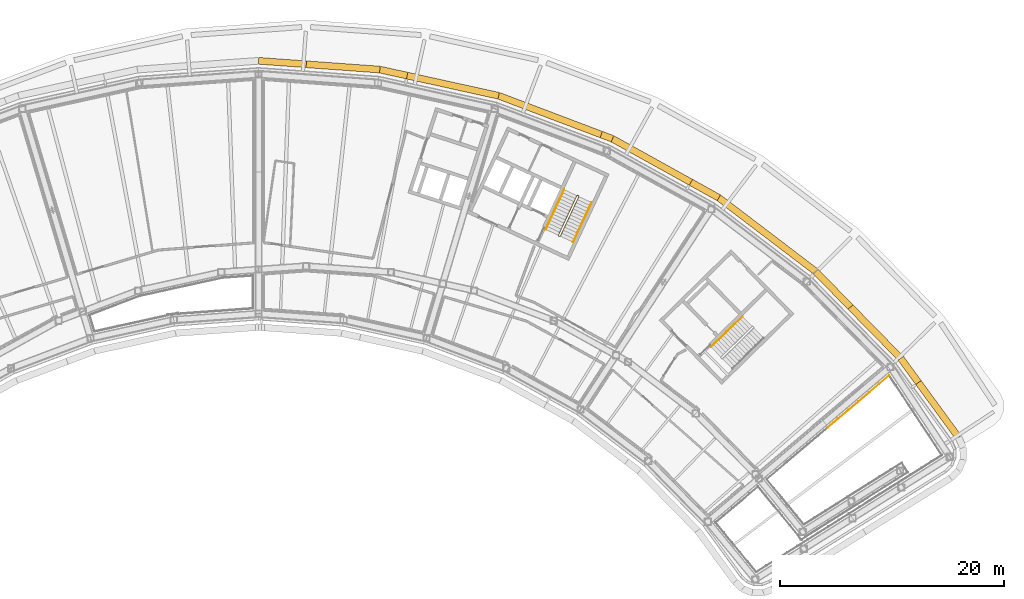
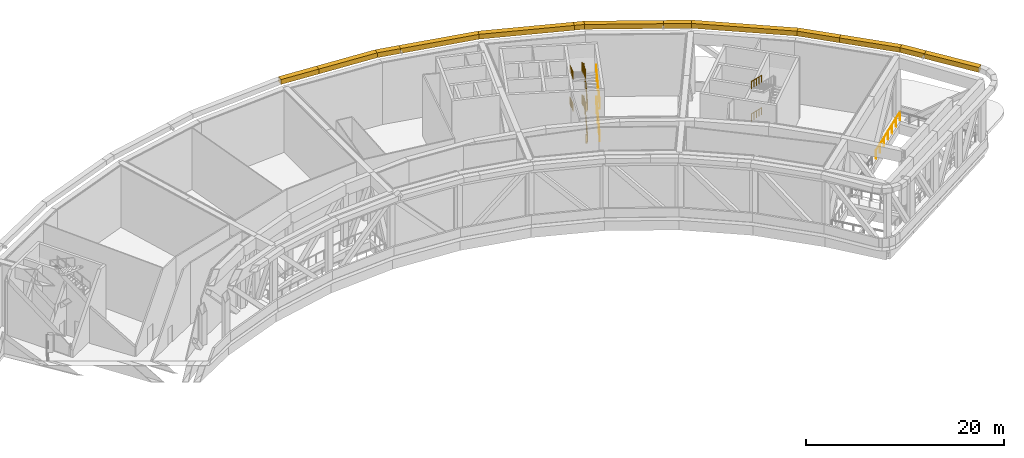
# One storey, part 23 of 24: 13 coverings, 8 railings.
"""IFC4 building model written with IfcOpenShell, lengths in metres."""

from ifc_helpers import new_model, si_unit, direction, frame, origin, origin_2d, place, context, subcontext, project, spatial, rectangle, circle, extrude, material, material_profile, profile_set, type_object, element, save


model = new_model("IFC4")

# Units and contexts
model_context = context("Model", 3, precision=1e-05, world=origin(), true_north=direction((0.0, 1.0)))
body_context = subcontext(model_context, "Body", "Model", "MODEL_VIEW")
ifc_project = project(units=[si_unit("LENGTHUNIT", "METRE"), si_unit("AREAUNIT", "SQUARE_METRE"), si_unit("VOLUMEUNIT", "CUBIC_METRE"), si_unit("PLANEANGLEUNIT", "RADIAN"), si_unit("MASSUNIT", "GRAM", prefix="KILO")], contexts=[model_context])

# Site, building, storey
site_placement = place(None, origin())
site = spatial("IfcSite", under=ifc_project, at=site_placement, CompositionType="ELEMENT")
building_placement = place(site_placement, origin())
building = spatial("IfcBuilding", under=site, at=building_placement, Name="Tuul Gate Civic Tower", CompositionType="ELEMENT")
storey_placement = place(building_placement, frame((0.0, 0.0, 277.800048828125)))
storey = spatial("IfcBuildingStorey", under=building, at=storey_placement, Name="Wind floor 2", CompositionType="ELEMENT", Elevation=277.800048828125)

# Railings
ifc_material_1 = material(Name="Painted steel", Category="steel")
railing_type_1 = type_object("IfcRailingType", Name="Slot guard", PredefinedType="GUARDRAIL", material=ifc_material_1)
railing_1_placement = place(storey_placement, frame((63.0537109375, -17.629638671875, 0.0)))
element("IfcRailing", 1, at=railing_1_placement, inside=storey, type_object=railing_type_1, Name="Guard", PredefinedType="GUARDRAIL", context=body_context, shape_type="SweptSolid", body=[
    extrude(circle(Radius=0.02392578125, at=origin_2d()), frame((0.0, 0.0, 1.076171875), z_axis=(-0.762834062015, -0.646594303895, 0.0), x_axis=(0.646594303895, -0.762834062015, 0.0)), (0.0, 0.0, 1.0), 7.164306640625),
    extrude(circle(Radius=0.02099609375, at=origin_2d()), origin(), (0.0, 0.0, 1.0), 1.052001953125),
    extrude(circle(Radius=0.02099609375, at=origin_2d()), frame((-0.910888671875, -0.77197265625, 0.0)), (0.0, 0.0, 1.0), 1.052001953125),
    extrude(circle(Radius=0.02099609375, at=origin_2d()), frame((-1.82177734375, -1.544189453125, 0.0)), (0.0, 0.0, 1.0), 1.052001953125),
    extrude(circle(Radius=0.02099609375, at=origin_2d()), frame((-2.732421875, -2.316162109375, 0.0)), (0.0, 0.0, 1.0), 1.052001953125),
    extrude(circle(Radius=0.02099609375, at=origin_2d()), frame((-3.643310546875, -3.088134765625, 0.0)), (0.0, 0.0, 1.0), 1.052001953125),
    extrude(circle(Radius=0.02099609375, at=origin_2d()), frame((-4.55419921875, -3.8603515625, 0.0)), (0.0, 0.0, 1.0), 1.052001953125),
    extrude(circle(Radius=0.02099609375, at=origin_2d()), frame((-5.465087890625, -4.63232421875, 0.0)), (0.0, 0.0, 1.0), 1.052001953125),
])
ifc_material_2 = material(Name="Painted steel", Category="steel")
railing_type_2 = type_object("IfcRailingType", Name="Stair guard", PredefinedType="GUARDRAIL", material=ifc_material_2)
railing_2_placement = place(storey_placement, frame((33.645751953125, -5.238525390625, 0.0)))
element("IfcRailing", 2, at=railing_2_placement, inside=storey, type_object=railing_type_2, Name="Wind floor 2 ST-4 stair guard 1", PredefinedType="GUARDRAIL", context=body_context, shape_type="SweptSolid", body=[
    extrude(circle(Radius=0.02392578125, at=origin_2d()), frame((0.0, 0.0, 1.076171875), z_axis=(-0.906307919131, 0.422617978463, 0.0), x_axis=(-0.422617978463, -0.906307919131, 0.0)), (0.0, 0.0, 1.0), 0.099853515625),
    extrude(circle(Radius=0.02392578125, at=origin_2d()), frame((-0.090576171875, 0.042236328125, 1.076171875), z_axis=(0.737014185755, -0.084819673011, 0.670533901504), x_axis=(0.114330889033, 0.993442724979, 0.0)), (0.0, 0.0, 1.0), 0.212890625),
    extrude(circle(Radius=0.02392578125, at=origin_2d()), frame((0.06640625, 0.024169921875, 1.21875), z_axis=(0.381507307837, 0.818290785608, 0.429944606031), x_axis=(-0.906336612539, 0.422556439746, 0.0)), (0.0, 0.0, 1.0), 4.319580078125),
    extrude(circle(Radius=0.02392578125, at=origin_2d()), frame((1.71435546875, 3.558837890625, 3.076171875), z_axis=(-0.342020437038, 0.939692513883, 0.0), x_axis=(-0.939692513883, -0.342020437038, 0.0)), (0.0, 0.0, 1.0), 0.070556640625),
    extrude(circle(Radius=0.02392578125, at=origin_2d()), frame((1.690185546875, 3.625244140625, 3.076171875), z_axis=(-0.906307919131, 0.422617978463, 0.0), x_axis=(-0.422617978463, -0.906307919131, 0.0)), (0.0, 0.0, 1.0), 0.099853515625),
    extrude(circle(Radius=0.02392578125, at=origin_2d()), frame((1.599609375, 3.66748046875, 3.076171875), z_axis=(-0.416734069648, -0.151678944468, 0.896284671854), x_axis=(0.342020437038, -0.939692513883, 0.0)), (0.0, 0.0, 1.0), 0.159423828125),
    extrude(circle(Radius=0.02392578125, at=origin_2d()), frame((1.533203125, 3.643310546875, 3.21875), z_axis=(-0.381507307837, -0.818290785608, 0.429944606031), x_axis=(0.906336612539, -0.422556439746, 0.0)), (0.0, 0.0, 1.0), 4.319580078125),
    extrude(circle(Radius=0.02392578125, at=origin_2d()), frame((-0.11474609375, 0.108642578125, 5.076171875), z_axis=(0.726155646563, -0.687530346214, 0.0), x_axis=(0.687530346214, 0.726155646563, 0.0)), (0.0, 0.0, 1.0), 0.157958984375),
    extrude(circle(Radius=0.02392578125, at=origin_2d()), frame((0.0, 0.0, 5.076171875), z_axis=(-0.906307919131, 0.422617978463, 0.0), x_axis=(-0.422617978463, -0.906307919131, 0.0)), (0.0, 0.0, 1.0), 0.099853515625),
    extrude(circle(Radius=0.02392578125, at=origin_2d()), frame((-0.090576171875, 0.042236328125, 5.076171875), z_axis=(0.737014185755, -0.084819673011, 0.670533901504), x_axis=(0.114330889033, 0.993442724979, 0.0)), (0.0, 0.0, 1.0), 0.212890625),
    extrude(circle(Radius=0.02392578125, at=origin_2d()), frame((0.06640625, 0.024169921875, 5.21875), z_axis=(0.381507307837, 0.818290785608, 0.429944606031), x_axis=(-0.906336612539, 0.422556439746, 0.0)), (0.0, 0.0, 1.0), 4.319580078125),
    extrude(circle(Radius=0.02392578125, at=origin_2d()), frame((1.71435546875, 3.558837890625, 7.076171875), z_axis=(-0.342020437038, 0.939692513883, 0.0), x_axis=(-0.939692513883, -0.342020437038, 0.0)), (0.0, 0.0, 1.0), 0.070556640625),
    extrude(circle(Radius=0.02392578125, at=origin_2d()), frame((1.690185546875, 3.625244140625, 7.076171875), z_axis=(-0.906307919131, 0.422617978463, 0.0), x_axis=(-0.422617978463, -0.906307919131, 0.0)), (0.0, 0.0, 1.0), 0.099853515625),
    extrude(circle(Radius=0.02392578125, at=origin_2d()), frame((1.599609375, 3.66748046875, 7.076171875), z_axis=(-0.416734069648, -0.151678944468, 0.896284671854), x_axis=(0.342020437038, -0.939692513883, 0.0)), (0.0, 0.0, 1.0), 0.159423828125),
    extrude(circle(Radius=0.02392578125, at=origin_2d()), frame((1.533203125, 3.643310546875, 7.21875), z_axis=(-0.381507307837, -0.818290785608, 0.429944606031), x_axis=(0.906336612539, -0.422556439746, 0.0)), (0.0, 0.0, 1.0), 4.319580078125),
    extrude(circle(Radius=0.02099609375, at=origin_2d()), origin(), (0.0, 0.0, 1.0), 1.052001953125),
    extrude(circle(Radius=0.02099609375, at=origin_2d()), frame((-0.090576171875, 0.042236328125, 0.0)), (0.0, 0.0, 1.0), 1.052001953125),
    extrude(circle(Radius=0.02099609375, at=origin_2d()), frame((0.06640625, 0.024169921875, 0.142822265625)), (0.0, 0.0, 1.0), 1.052001953125),
    extrude(circle(Radius=0.02099609375, at=origin_2d()), frame((0.478515625, 0.90771484375, 0.607177734375)), (0.0, 0.0, 1.0), 1.052001953125),
    extrude(circle(Radius=0.02099609375, at=origin_2d()), frame((0.890380859375, 1.79150390625, 1.0712890625)), (0.0, 0.0, 1.0), 1.052001953125),
    extrude(circle(Radius=0.02099609375, at=origin_2d()), frame((1.30224609375, 2.67529296875, 1.53564453125)), (0.0, 0.0, 1.0), 1.052001953125),
    extrude(circle(Radius=0.02099609375, at=origin_2d()), frame((1.71435546875, 3.558837890625, 2.0)), (0.0, 0.0, 1.0), 1.052001953125),
    extrude(circle(Radius=0.02099609375, at=origin_2d()), frame((1.690185546875, 3.625244140625, 2.0)), (0.0, 0.0, 1.0), 1.052001953125),
    extrude(circle(Radius=0.02099609375, at=origin_2d()), frame((1.599609375, 3.66748046875, 2.0)), (0.0, 0.0, 1.0), 1.052001953125),
    extrude(circle(Radius=0.02099609375, at=origin_2d()), frame((1.533203125, 3.643310546875, 2.142822265625)), (0.0, 0.0, 1.0), 1.052001953125),
    extrude(circle(Radius=0.02099609375, at=origin_2d()), frame((1.12109375, 2.759765625, 2.607177734375)), (0.0, 0.0, 1.0), 1.052001953125),
    extrude(circle(Radius=0.02099609375, at=origin_2d()), frame((0.709228515625, 1.8759765625, 3.0712890625)), (0.0, 0.0, 1.0), 1.052001953125),
    extrude(circle(Radius=0.02099609375, at=origin_2d()), frame((0.29736328125, 0.9921875, 3.53564453125)), (0.0, 0.0, 1.0), 1.052001953125),
    extrude(circle(Radius=0.02099609375, at=origin_2d()), frame((-0.11474609375, 0.108642578125, 4.0)), (0.0, 0.0, 1.0), 1.052001953125),
    extrude(circle(Radius=0.02099609375, at=origin_2d()), frame((0.0, 0.0, 4.0)), (0.0, 0.0, 1.0), 1.052001953125),
    extrude(circle(Radius=0.02099609375, at=origin_2d()), frame((-0.090576171875, 0.042236328125, 4.0)), (0.0, 0.0, 1.0), 1.052001953125),
    extrude(circle(Radius=0.02099609375, at=origin_2d()), frame((0.06640625, 0.024169921875, 4.142822265625)), (0.0, 0.0, 1.0), 1.052001953125),
    extrude(circle(Radius=0.02099609375, at=origin_2d()), frame((0.478515625, 0.90771484375, 4.607177734375)), (0.0, 0.0, 1.0), 1.052001953125),
    extrude(circle(Radius=0.02099609375, at=origin_2d()), frame((0.890380859375, 1.79150390625, 5.0712890625)), (0.0, 0.0, 1.0), 1.052001953125),
    extrude(circle(Radius=0.02099609375, at=origin_2d()), frame((1.30224609375, 2.67529296875, 5.53564453125)), (0.0, 0.0, 1.0), 1.052001953125),
    extrude(circle(Radius=0.02099609375, at=origin_2d()), frame((1.71435546875, 3.558837890625, 6.0)), (0.0, 0.0, 1.0), 1.052001953125),
    extrude(circle(Radius=0.02099609375, at=origin_2d()), frame((1.690185546875, 3.625244140625, 6.0)), (0.0, 0.0, 1.0), 1.052001953125),
    extrude(circle(Radius=0.02099609375, at=origin_2d()), frame((1.599609375, 3.66748046875, 6.0)), (0.0, 0.0, 1.0), 1.052001953125),
    extrude(circle(Radius=0.02099609375, at=origin_2d()), frame((1.533203125, 3.643310546875, 6.142822265625)), (0.0, 0.0, 1.0), 1.052001953125),
    extrude(circle(Radius=0.02099609375, at=origin_2d()), frame((1.12109375, 2.759765625, 6.607177734375)), (0.0, 0.0, 1.0), 1.052001953125),
    extrude(circle(Radius=0.02099609375, at=origin_2d()), frame((0.709228515625, 1.8759765625, 7.0712890625)), (0.0, 0.0, 1.0), 1.052001953125),
    extrude(circle(Radius=0.02099609375, at=origin_2d()), frame((0.29736328125, 0.9921875, 7.53564453125)), (0.0, 0.0, 1.0), 1.052001953125),
    extrude(circle(Radius=0.02099609375, at=origin_2d()), frame((-0.11474609375, 0.108642578125, 8.0)), (0.0, 0.0, 1.0), 1.052001953125),
])
ifc_material_3 = material(Name="Painted steel", Category="steel")
railing_type_3 = type_object("IfcRailingType", Name="Stair handrail", PredefinedType="HANDRAIL", material=ifc_material_3)
for number, where, name in (
    (3, (49.9462890625, -12.369873046875, 2.142822265625), "Wind floor 2 ST-3 stair handrail 2"),
    (4, (49.9462890625, -12.369873046875, 6.142822265625), "Wind floor 2 ST-3 stair handrail 4"),
):
    element("IfcRailing", number, at=place(storey_placement, frame(where)), inside=storey, type_object=railing_type_3, Name=name, PredefinedType="HANDRAIL", context=body_context, shape_type="SweptSolid", body=[
        extrude(circle(Radius=0.02392578125, at=origin_2d()), frame((0.0, 0.0, 0.8759765625), z_axis=(-0.644770868637, -0.631997532705, 0.4299414444), x_axis=(0.699997553204, -0.714145241186, 0.0)), (0.0, 0.0, 1.0), 4.319580078125),
        extrude(circle(Radius=0.02099609375, at=origin_2d()), origin(), (0.0, 0.0, 1.0), 0.851806640625),
        extrude(circle(Radius=0.02099609375, at=origin_2d()), frame((-0.6962890625, -0.6826171875, 0.46435546875)), (0.0, 0.0, 1.0), 0.851806640625),
        extrude(circle(Radius=0.02099609375, at=origin_2d()), frame((-1.392578125, -1.364990234375, 0.9287109375)), (0.0, 0.0, 1.0), 0.851806640625),
        extrude(circle(Radius=0.02099609375, at=origin_2d()), frame((-2.0888671875, -2.04736328125, 1.392822265625)), (0.0, 0.0, 1.0), 0.851806640625),
        extrude(circle(Radius=0.02099609375, at=origin_2d()), frame((-2.78515625, -2.72998046875, 1.857177734375)), (0.0, 0.0, 1.0), 0.851806640625),
    ])
railing_3_placement = place(storey_placement, frame((34.844970703125, -5.74267578125, 0.142822265625)))
element("IfcRailing", 5, at=railing_3_placement, inside=storey, type_object=railing_type_3, Name="Wind floor 2 ST-4 stair handrail 1", PredefinedType="HANDRAIL", context=body_context, shape_type="SweptSolid", body=[
    extrude(circle(Radius=0.02392578125, at=origin_2d()), frame((0.0, 0.0, 0.8759765625), z_axis=(0.381555599571, 0.818273140362, 0.429935334904), x_axis=(-0.906312636903, 0.422607861012, 0.0)), (0.0, 0.0, 1.0), 4.319580078125),
    extrude(circle(Radius=0.02099609375, at=origin_2d()), origin(), (0.0, 0.0, 1.0), 0.851806640625),
    extrude(circle(Radius=0.02099609375, at=origin_2d()), frame((0.412109375, 0.8837890625, 0.46435546875)), (0.0, 0.0, 1.0), 0.851806640625),
    extrude(circle(Radius=0.02099609375, at=origin_2d()), frame((0.82421875, 1.767333984375, 0.9287109375)), (0.0, 0.0, 1.0), 0.851806640625),
    extrude(circle(Radius=0.02099609375, at=origin_2d()), frame((1.236083984375, 2.65087890625, 1.392822265625)), (0.0, 0.0, 1.0), 0.851806640625),
    extrude(circle(Radius=0.02099609375, at=origin_2d()), frame((1.648193359375, 3.53466796875, 1.857177734375)), (0.0, 0.0, 1.0), 0.851806640625),
])
railing_4_placement = place(storey_placement, frame((34.046142578125, -1.06689453125, 2.142822265625)))
element("IfcRailing", 6, at=railing_4_placement, inside=storey, type_object=railing_type_3, Name="Wind floor 2 ST-4 stair handrail 2", PredefinedType="HANDRAIL", context=body_context, shape_type="SweptSolid", body=[
    extrude(circle(Radius=0.02392578125, at=origin_2d()), frame((0.0, 0.0, 0.8759765625), z_axis=(-0.381555599571, -0.818273140362, 0.429935334904), x_axis=(0.906312636903, -0.422607861012, 0.0)), (0.0, 0.0, 1.0), 4.319580078125),
    extrude(circle(Radius=0.02099609375, at=origin_2d()), origin(), (0.0, 0.0, 1.0), 0.851806640625),
    extrude(circle(Radius=0.02099609375, at=origin_2d()), frame((-0.412109375, -0.8837890625, 0.46435546875)), (0.0, 0.0, 1.0), 0.851806640625),
    extrude(circle(Radius=0.02099609375, at=origin_2d()), frame((-0.82421875, -1.767333984375, 0.9287109375)), (0.0, 0.0, 1.0), 0.851806640625),
    extrude(circle(Radius=0.02099609375, at=origin_2d()), frame((-1.236083984375, -2.65087890625, 1.392822265625)), (0.0, 0.0, 1.0), 0.851806640625),
    extrude(circle(Radius=0.02099609375, at=origin_2d()), frame((-1.648193359375, -3.53466796875, 1.857177734375)), (0.0, 0.0, 1.0), 0.851806640625),
])
railing_5_placement = place(storey_placement, frame((34.844970703125, -5.74267578125, 4.142822265625)))
element("IfcRailing", 7, at=railing_5_placement, inside=storey, type_object=railing_type_3, Name="Wind floor 2 ST-4 stair handrail 3", PredefinedType="HANDRAIL", context=body_context, shape_type="SweptSolid", body=[
    extrude(circle(Radius=0.02392578125, at=origin_2d()), frame((0.0, 0.0, 0.8759765625), z_axis=(0.381555599571, 0.818273140362, 0.429935334904), x_axis=(-0.906312636903, 0.422607861012, 0.0)), (0.0, 0.0, 1.0), 4.319580078125),
    extrude(circle(Radius=0.02099609375, at=origin_2d()), origin(), (0.0, 0.0, 1.0), 0.851806640625),
    extrude(circle(Radius=0.02099609375, at=origin_2d()), frame((0.412109375, 0.8837890625, 0.46435546875)), (0.0, 0.0, 1.0), 0.851806640625),
    extrude(circle(Radius=0.02099609375, at=origin_2d()), frame((0.82421875, 1.767333984375, 0.9287109375)), (0.0, 0.0, 1.0), 0.851806640625),
    extrude(circle(Radius=0.02099609375, at=origin_2d()), frame((1.236083984375, 2.65087890625, 1.392822265625)), (0.0, 0.0, 1.0), 0.851806640625),
    extrude(circle(Radius=0.02099609375, at=origin_2d()), frame((1.648193359375, 3.53466796875, 1.857177734375)), (0.0, 0.0, 1.0), 0.851806640625),
])
railing_6_placement = place(storey_placement, frame((34.046142578125, -1.06689453125, 6.142822265625)))
element("IfcRailing", 8, at=railing_6_placement, inside=storey, type_object=railing_type_3, Name="Wind floor 2 ST-4 stair handrail 4", PredefinedType="HANDRAIL", context=body_context, shape_type="SweptSolid", body=[
    extrude(circle(Radius=0.02392578125, at=origin_2d()), frame((0.0, 0.0, 0.8759765625), z_axis=(-0.381555599571, -0.818273140362, 0.429935334904), x_axis=(0.906312636903, -0.422607861012, 0.0)), (0.0, 0.0, 1.0), 4.319580078125),
    extrude(circle(Radius=0.02099609375, at=origin_2d()), origin(), (0.0, 0.0, 1.0), 0.851806640625),
    extrude(circle(Radius=0.02099609375, at=origin_2d()), frame((-0.412109375, -0.8837890625, 0.46435546875)), (0.0, 0.0, 1.0), 0.851806640625),
    extrude(circle(Radius=0.02099609375, at=origin_2d()), frame((-0.82421875, -1.767333984375, 0.9287109375)), (0.0, 0.0, 1.0), 0.851806640625),
    extrude(circle(Radius=0.02099609375, at=origin_2d()), frame((-1.236083984375, -2.65087890625, 1.392822265625)), (0.0, 0.0, 1.0), 0.851806640625),
    extrude(circle(Radius=0.02099609375, at=origin_2d()), frame((-1.648193359375, -3.53466796875, 1.857177734375)), (0.0, 0.0, 1.0), 0.851806640625),
])

# Coverings
ifc_material_4 = material(Name="Terracotta baguette", Category="masonry")
ifc_material_profile = material_profile(ifc_material_4, rectangle(XDim=0.60009765625, YDim=0.60009765625, at=origin_2d()), Name="Terracotta baguette screen frame")
ifc_profile_set = profile_set([ifc_material_profile], Name="Terracotta baguette")
covering_type = type_object("IfcCoveringType", Name="Terracotta baguette screen frame", PredefinedType="CLADDING", material=ifc_profile_set)
covering_1_placement = place(storey_placement, frame((65.658935546875, -18.270751953125, 7.64990234375), z_axis=(-0.589811087121, 0.807541256846, 0.0), x_axis=(-0.807541256846, -0.589811087121, 0.0)))
element("IfcCovering", 9, at=covering_1_placement, inside=storey, type_object=covering_type, Name="Baguette 21", PredefinedType="CLADDING", context=body_context, shape_type="SweptSolid", body=[
    extrude(rectangle(XDim=0.60009765625, YDim=0.60009765625, at=origin_2d()), origin(), (0.0, 0.0, 1.0), 2.680908203125),
])
covering_2_placement = place(storey_placement, frame((64.07763671875, -16.105712890625, 7.64990234375), z_axis=(-0.700058453541, 0.714085542232, 0.0), x_axis=(-0.714085542232, -0.700058453541, 0.0)))
element("IfcCovering", 10, at=covering_2_placement, inside=storey, type_object=covering_type, Name="Baguette 22", PredefinedType="CLADDING", context=body_context, shape_type="SweptSolid", body=[
    extrude(rectangle(XDim=0.60009765625, YDim=0.60009765625, at=origin_2d()), origin(), (0.0, 0.0, 1.0), 6.405029296875),
])
covering_3_placement = place(storey_placement, frame((45.357421875, -0.402587890625, 7.64990234375), z_axis=(-0.874613060583, 0.484821610757, 0.0), x_axis=(-0.484821610757, -0.874613060583, 0.0)))
element("IfcCovering", 11, at=covering_3_placement, inside=storey, type_object=covering_type, Name="Baguette 45", PredefinedType="CLADDING", context=body_context, shape_type="SweptSolid", body=[
    extrude(rectangle(XDim=0.60009765625, YDim=0.60009765625, at=origin_2d()), origin(), (0.0, 0.0, 1.0), 8.002685546875),
])
covering_4_placement = place(storey_placement, frame((38.358154296875, 3.477294921875, 7.64990234375), z_axis=(-0.935331168896, 0.353773380134, 0.0), x_axis=(-0.353773380134, -0.935331168896, 0.0)))
element("IfcCovering", 12, at=covering_4_placement, inside=storey, type_object=covering_type, Name="Baguette 46", PredefinedType="CLADDING", context=body_context, shape_type="SweptSolid", body=[
    extrude(rectangle(XDim=0.60009765625, YDim=0.60009765625, at=origin_2d()), origin(), (0.0, 0.0, 1.0), 1.069580078125),
])
covering_5_placement = place(storey_placement, frame((20.041015625, 9.115478515625, 7.64990234375), z_axis=(-0.976550477935, 0.215288559947, 0.0), x_axis=(-0.215288559947, -0.976550477935, 0.0)))
element("IfcCovering", 13, at=covering_5_placement, inside=storey, type_object=covering_type, Name="Baguette 63", PredefinedType="CLADDING", context=body_context, shape_type="SweptSolid", body=[
    extrude(rectangle(XDim=0.60009765625, YDim=0.60009765625, at=origin_2d()), origin(), (0.0, 0.0, 1.0), 2.488037109375),
])
covering_6_placement = place(storey_placement, frame((17.611328125, 9.651123046875, 7.64990234375), z_axis=(-0.997388010162, 0.072229891215, 0.0), x_axis=(-0.072229891215, -0.997388010162, 0.0)))
element("IfcCovering", 14, at=covering_6_placement, inside=storey, type_object=covering_type, Name="Baguette 64", PredefinedType="CLADDING", context=body_context, shape_type="SweptSolid", body=[
    extrude(rectangle(XDim=0.60009765625, YDim=0.60009765625, at=origin_2d()), origin(), (0.0, 0.0, 1.0), 6.584228515625),
])
covering_7_placement = place(storey_placement, frame((59.59375, -11.531982421875, 7.64990234375), z_axis=(-0.70001485629, 0.714128280474, 0.0), x_axis=(-0.714128280474, -0.70001485629, 0.0)))
element("IfcCovering", 15, at=covering_7_placement, inside=storey, type_object=covering_type, Name="Baguette 372", PredefinedType="CLADDING", context=body_context, shape_type="SweptSolid", body=[
    extrude(rectangle(XDim=0.60009765625, YDim=0.60009765625, at=origin_2d()), origin(), (0.0, 0.0, 1.0), 4.44580078125),
])
covering_8_placement = place(storey_placement, frame((56.481689453125, -8.357177734375, 7.64990234375), z_axis=(-0.795618643442, 0.605797799771, 0.0), x_axis=(-0.605797799771, -0.795618643442, 0.0)))
element("IfcCovering", 16, at=covering_8_placement, inside=storey, type_object=covering_type, Name="Baguette 373", PredefinedType="CLADDING", context=body_context, shape_type="SweptSolid", body=[
    extrude(rectangle(XDim=0.60009765625, YDim=0.60009765625, at=origin_2d()), origin(), (0.0, 0.0, 1.0), 10.851318359375),
])
covering_9_placement = place(storey_placement, frame((47.84814453125, -1.783447265625, 7.64990234375), z_axis=(-0.874585570006, 0.484871200152, 0.0), x_axis=(-0.484871200152, -0.874585570006, 0.0)))
element("IfcCovering", 17, at=covering_9_placement, inside=storey, type_object=covering_type, Name="Baguette 374", PredefinedType="CLADDING", context=body_context, shape_type="SweptSolid", body=[
    extrude(rectangle(XDim=0.60009765625, YDim=0.60009765625, at=origin_2d()), origin(), (0.0, 0.0, 1.0), 2.847900390625),
])
covering_10_placement = place(storey_placement, frame((37.357666015625, 3.855712890625, 7.64990234375), z_axis=(-0.935362589689, 0.353690296461, 0.0), x_axis=(-0.353690296461, -0.935362589689, 0.0)))
element("IfcCovering", 18, at=covering_10_placement, inside=storey, type_object=covering_type, Name="Baguette 375", PredefinedType="CLADDING", context=body_context, shape_type="SweptSolid", body=[
    extrude(rectangle(XDim=0.60009765625, YDim=0.60009765625, at=origin_2d()), origin(), (0.0, 0.0, 1.0), 9.782470703125),
])
covering_11_placement = place(storey_placement, frame((28.20751953125, 7.315673828125, 7.64990234375), z_axis=(-0.976564757284, 0.215223778496, 0.0), x_axis=(-0.215223778496, -0.976564757284, 0.0)))
element("IfcCovering", 19, at=covering_11_placement, inside=storey, type_object=covering_type, Name="Baguette 376", PredefinedType="CLADDING", context=body_context, shape_type="SweptSolid", body=[
    extrude(rectangle(XDim=0.60009765625, YDim=0.60009765625, at=origin_2d()), origin(), (0.0, 0.0, 1.0), 8.362548828125),
])
covering_12_placement = place(storey_placement, frame((11.044189453125, 10.126708984375, 7.64990234375), z_axis=(-0.997385871745, 0.072259413527, 0.0), x_axis=(-0.072259413527, -0.997385871745, 0.0)))
element("IfcCovering", 20, at=covering_12_placement, inside=storey, type_object=covering_type, Name="Baguette 377", PredefinedType="CLADDING", context=body_context, shape_type="SweptSolid", body=[
    extrude(rectangle(XDim=0.60009765625, YDim=0.60009765625, at=origin_2d()), origin(), (0.0, 0.0, 1.0), 4.267333984375),
])
covering_13_placement = place(storey_placement, frame((69.230224609375, -23.16015625, 7.64990234375), z_axis=(-0.589829544969, 0.8075277753, 0.0), x_axis=(-0.8075277753, -0.589829544969, 0.0)))
element("IfcCovering", 21, at=covering_13_placement, inside=storey, type_object=covering_type, Name="Baguette 409", PredefinedType="CLADDING", context=body_context, shape_type="SweptSolid", body=[
    extrude(rectangle(XDim=0.60009765625, YDim=0.60009765625, at=origin_2d()), origin(), (0.0, 0.0, 1.0), 6.0546875),
])

save(model, "model.ifc")
